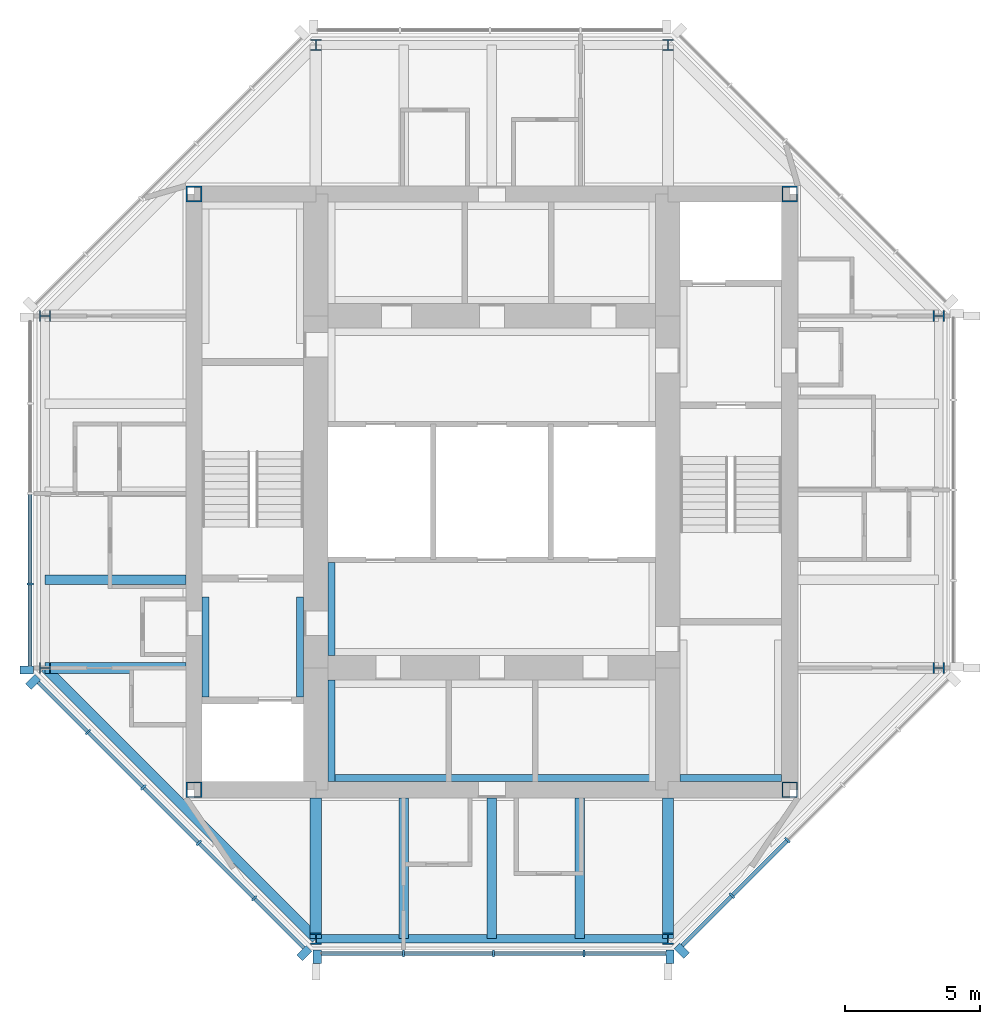
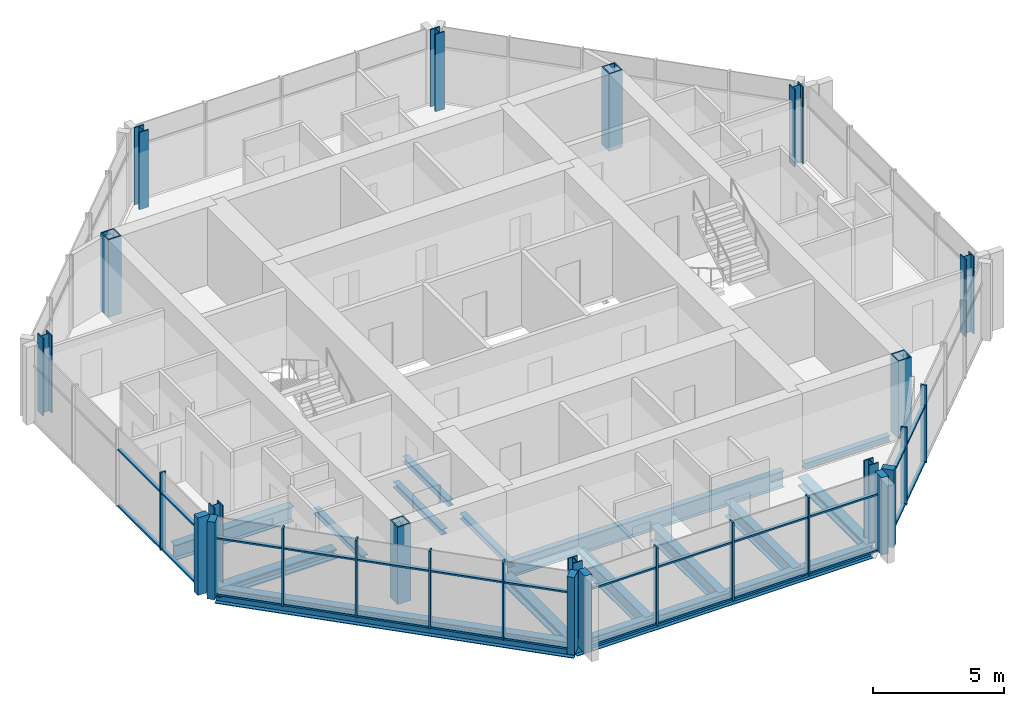
# One storey, part 1 of 9: 42 members, 15 beams, 12 columns, 4 elements without a shape of their own.
"""IFC4 building model written with IfcOpenShell, lengths in metres."""

import ifcopenshell
import ifcopenshell.guid

model = None  # the IFC model being written
_history = None  # IfcOwnerHistory: only IFC2X3 demands one
_inside = {}  # id of a spatial element -> (the spatial element, [elements in it])
_under = {}  # id of a project, library or spatial element -> (it, [spatial elements below it])
_declared = {}  # id of a project -> (the project, [libraries it declares])
_typed = {}  # id of a type object -> (the type object, [elements of that type])
_made_of = {}  # id of a material, layer set ... -> (it, [elements and type objects made of it])


def new_model(schema):
    """Start an empty IFC model of exactly this schema.

    Asked for "IFC4X3", IfcOpenShell would pick the latest addendum, in which some entities
    have other attributes; the version numbers below select the first issue.
    IFC2X3 requires an IfcOwnerHistory on every rooted entity: one is made here for all.
    """
    global model, _history
    if schema == "IFC4X3":
        model = ifcopenshell.file(schema_version=(4, 3, 0, 0))
    else:
        model = ifcopenshell.file(schema=schema)
    _inside.clear()
    _under.clear()
    _declared.clear()
    _typed.clear()
    _made_of.clear()
    _history = None
    if model.schema == "IFC2X3":
        org = make("IfcOrganization", Name="unknown")
        user = make(
            "IfcPersonAndOrganization",
            ThePerson=make("IfcPerson", FamilyName="unknown"),
            TheOrganization=org,
        )
        app = make(
            "IfcApplication",
            ApplicationDeveloper=org,
            Version="unknown",
            ApplicationFullName="unknown",
            ApplicationIdentifier="unknown",
        )
        _history = make(
            "IfcOwnerHistory",
            OwningUser=user,
            OwningApplication=app,
            ChangeAction="ADDED",
            CreationDate=0,
        )
    return model


def make(cls, **values):
    """One entity of the class cls with the attributes given. An attribute that is None is left unset."""
    return model.create_entity(
        cls, **{name: value for name, value in values.items() if value is not None}
    )


def rooted(cls, **values):
    """An entity with a GlobalId (a new one), such as an element, a storey or a relation."""
    return make(cls, GlobalId=ifcopenshell.guid.new(), OwnerHistory=_history, **values)


def si_unit(unit_type, name, prefix=None):
    """IfcSIUnit, for example si_unit("LENGTHUNIT", "METRE", prefix="MILLI")."""
    return make("IfcSIUnit", UnitType=unit_type, Prefix=prefix, Name=name)


def assignment(units):
    """IfcUnitAssignment: the units of a project."""
    return None if units is None else make("IfcUnitAssignment", Units=units)


def point(xyz):
    """IfcCartesianPoint."""
    return None if xyz is None else make("IfcCartesianPoint", Coordinates=xyz)


def direction(xyz):
    """IfcDirection."""
    return None if xyz is None else make("IfcDirection", DirectionRatios=xyz)


def frame(location, z_axis=None, x_axis=None):
    """IfcAxis2Placement3D, a coordinate frame: its origin and axes. An axis left out is left unset."""
    return make(
        "IfcAxis2Placement3D",
        Location=point(location),
        Axis=direction(z_axis),
        RefDirection=direction(x_axis),
    )


def frame_2d(location, x_axis=None):
    """IfcAxis2Placement2D, a coordinate frame in the plane: its origin and x axis."""
    return make(
        "IfcAxis2Placement2D", Location=point(location), RefDirection=direction(x_axis)
    )


def origin():
    """The frame at (0, 0, 0) with its axes left unset."""
    return frame((0.0, 0.0, 0.0))


def origin_2d():
    """The frame at (0, 0) in the plane with its x axis left unset."""
    return frame_2d((0.0, 0.0))


def place(relative_to, where):
    """IfcLocalPlacement: puts the frame where relative to a parent placement (None: the world)."""
    return make(
        "IfcLocalPlacement", PlacementRelTo=relative_to, RelativePlacement=where
    )


def context(
    kind, dimensions, precision=None, world=None, true_north=None, identifier=None
):
    """IfcGeometricRepresentationContext, for example the 3D "Model" context."""
    return make(
        "IfcGeometricRepresentationContext",
        ContextIdentifier=identifier,
        ContextType=kind,
        CoordinateSpaceDimension=dimensions,
        Precision=precision,
        WorldCoordinateSystem=world,
        TrueNorth=true_north,
    )


def subcontext(parent, identifier, kind, view, scale=None):
    """IfcGeometricRepresentationSubContext, for example "Body" below "Model"."""
    return make(
        "IfcGeometricRepresentationSubContext",
        ContextIdentifier=identifier,
        ContextType=kind,
        ParentContext=parent,
        TargetScale=scale,
        TargetView=view,
    )


def project(units=None, contexts=None):
    """IfcProject with its units and contexts."""
    return rooted(
        "IfcProject",
        Name="project",
        RepresentationContexts=contexts,
        UnitsInContext=assignment(units),
    )


def spatial(cls, under=None, at=None, **own):
    """A site, building, storey or space (cls), placed at a placement, below another one or the project."""
    s = rooted(cls, ObjectPlacement=at, **own)
    if under is not None:
        _under.setdefault(under.id(), (under, []))[1].append(s)
    return s


def profile(cls, at=None, kind="AREA", **sizes):
    """A parametric profile (cls). Its sizes go by their IFC names, for example OverallWidth=200.0."""
    return make(cls, ProfileType=kind, Position=at, **sizes)


def rectangle(**sizes):
    """IfcRectangleProfileDef."""
    return profile("IfcRectangleProfileDef", **sizes)


def hollow_rectangle(**sizes):
    """IfcRectangleHollowProfileDef."""
    return profile("IfcRectangleHollowProfileDef", **sizes)


def i_section(**sizes):
    """IfcIShapeProfileDef."""
    return profile("IfcIShapeProfileDef", **sizes)


def extrude(swept, where, along, depth):
    """IfcExtrudedAreaSolid: the profile swept, set in the frame where, extruded along a direction by depth."""
    return make(
        "IfcExtrudedAreaSolid",
        SweptArea=swept,
        Position=where,
        ExtrudedDirection=direction(along),
        Depth=depth,
    )


def shape(context_of_items, identifier, shape_type, items):
    """IfcShapeRepresentation: the items that make up one representation, for example the "Body"."""
    return make(
        "IfcShapeRepresentation",
        ContextOfItems=context_of_items,
        RepresentationIdentifier=identifier,
        RepresentationType=shape_type,
        Items=items,
    )


def material(Name=None, Category=None):
    """IfcMaterial."""
    return make("IfcMaterial", Name=Name, Category=Category)


def material_profile(
    of_material, cross_section, Name=None, Category=None, Priority=None
):
    """IfcMaterialProfile: a cross section and its material."""
    return make(
        "IfcMaterialProfile",
        Name=Name,
        Material=of_material,
        Profile=cross_section,
        Priority=Priority,
        Category=Category,
    )


def profile_set(profiles, Name=None, composite=None):
    """IfcMaterialProfileSet."""
    return make(
        "IfcMaterialProfileSet",
        Name=Name,
        MaterialProfiles=profiles,
        CompositeProfile=composite,
    )


def made_of(thing, what):
    """Note that an element or type object is made of a material, layer set ...; save() writes the relation."""
    if what is not None:
        _made_of.setdefault(what.id(), (what, []))[1].append(thing)
    return thing


def type_object(cls, material=None, **own):
    """A type object (cls), such as IfcWallType, which elements share."""
    return made_of(rooted(cls, **own), material)


def element(
    cls,
    number,
    at=None,
    inside=None,
    cuts=None,
    type_object=None,
    material=None,
    context=None,
    identifier="Body",
    shape_type=None,
    held_by="IfcProductDefinitionShape",
    body=None,
    shapes=None,
    **own,
):
    """One element of the class cls, such as IfcWall. Its Tag is "e" and its number.

    at: its placement. inside: the storey or other place that contains it. cuts: it is an
    opening in that element (IfcRelVoidsElement). A single representation is given by context,
    identifier, shape_type and body (its items); several are given by shapes. held_by: the class
    of the entity that holds the representations. save() writes the other relations.
    """
    e = rooted(cls, Tag="e%d" % number, ObjectPlacement=at, **own)
    if body is not None:
        shapes = [shape(context, identifier, shape_type, body)]
    if shapes is not None:
        e.Representation = make(held_by, Representations=shapes)
    if inside is not None:
        _inside.setdefault(inside.id(), (inside, []))[1].append(e)
    if cuts is not None:
        rooted(
            "IfcRelVoidsElement", RelatingBuildingElement=cuts, RelatedOpeningElement=e
        )
    if type_object is not None:
        _typed.setdefault(type_object.id(), (type_object, []))[1].append(e)
    return made_of(e, material)


def aggregate(whole, parts):
    """IfcRelAggregates: a whole, such as a stair, and the parts it consists of."""
    return rooted("IfcRelAggregates", RelatingObject=whole, RelatedObjects=parts)


def save(model, path):
    """Write the relations noted so far, then the file.

    IfcRelAggregates (storeys below a building ...), IfcRelContainedInSpatialStructure (elements
    in a storey), IfcRelDefinesByType, IfcRelAssociatesMaterial and IfcRelDeclares: one each for
    every whole, place, type object, material and project.
    """
    for whole, parts in _under.values():
        aggregate(whole, parts)
    for where, things in _inside.values():
        rooted(
            "IfcRelContainedInSpatialStructure",
            RelatedElements=things,
            RelatingStructure=where,
        )
    for kind, things in _typed.values():
        rooted("IfcRelDefinesByType", RelatedObjects=things, RelatingType=kind)
    for what, things in _made_of.values():
        rooted("IfcRelAssociatesMaterial", RelatedObjects=things, RelatingMaterial=what)
    for by, libraries in _declared.values():
        rooted("IfcRelDeclares", RelatingContext=by, RelatedDefinitions=libraries)
    model.write(path)


model = new_model("IFC4")

# Units and contexts
model_context = context("Model", 3, precision=1e-05, world=origin(), true_north=direction((0.0, 1.0)))
body_context = subcontext(model_context, "Body", "Model", "MODEL_VIEW")
ifc_project = project(units=[si_unit("LENGTHUNIT", "METRE"), si_unit("AREAUNIT", "SQUARE_METRE"), si_unit("VOLUMEUNIT", "CUBIC_METRE"), si_unit("PLANEANGLEUNIT", "RADIAN"), si_unit("MASSUNIT", "GRAM", prefix="KILO")], contexts=[model_context])

# Site, building, storey
site_placement = place(None, origin())
site = spatial("IfcSite", under=ifc_project, at=site_placement, CompositionType="ELEMENT")
building_placement = place(site_placement, origin())
building = spatial("IfcBuilding", under=site, at=building_placement, Name="Trevanion Tower", CompositionType="ELEMENT")
storey_placement = place(building_placement, frame((0.0, 0.0, 281.199951171875)))
storey = spatial("IfcBuildingStorey", under=building, at=storey_placement, Name="L69", CompositionType="ELEMENT", Elevation=281.199951171875)

# Columns
ifc_material_1 = material(Name="Steel ASTM A913 Grade 65", Category="steel")
ifc_material_profile_1 = material_profile(ifc_material_1, i_section(OverallWidth=0.406494140625, OverallDepth=0.41650390625, WebThickness=0.030029296875, FlangeThickness=0.048095703125, at=origin_2d()), Name="W14X257")
ifc_profile_set_1 = profile_set([ifc_material_profile_1], Name="Steel ASTM A913 Grade 65")
column_type_1 = type_object("IfcColumnType", Name="C6 W14X257", PredefinedType="COLUMN", material=ifc_profile_set_1)
for number, where, z_axis, x_axis, name in (
    (1, (-16.5, -6.5, 0.0), (0.0, 0.0, 1.0), (0.0, 1.0, 0.0), "C6 7/G L69"),
    (2, (-6.5, -16.5, 0.0), (0.0, 0.0, 1.0), (1.0, 0.0, 0.0), "C6 9/E L69"),
    (3, (6.5, -16.5, 0.0), (0.0, 0.0, 1.0), (1.0, 0.0, 0.0), "C6 11/E L69"),
    (4, (16.5, -6.5, 0.0), (0.0, 0.0, 1.0), (0.0, 1.0, 0.0), "C6 13/G L69"),
    (5, (16.5, 6.5, 0.0), (0.0, 0.0, 1.0), (0.0, 1.0, 0.0), "C6 13/J L69"),
    (6, (6.5, 16.5, 0.0), (0.0, 0.0, 1.0), (1.0, 0.0, 0.0), "C6 11/L L69"),
    (7, (-6.5, 16.5, 0.0), (0.0, 0.0, 1.0), (1.0, 0.0, 0.0), "C6 9/L L69"),
    (8, (-16.5, 6.5, 0.0), (0.0, 0.0, 1.0), (0.0, 1.0, 0.0), "C6 7/J L69"),
):
    element("IfcColumn", number, at=place(storey_placement, frame(where, z_axis=z_axis, x_axis=x_axis)), inside=storey, type_object=column_type_1, Name=name, PredefinedType="COLUMN", context=body_context, shape_type="SweptSolid", body=[
        extrude(i_section(OverallWidth=0.406494140625, OverallDepth=0.41650390625, WebThickness=0.030029296875, FlangeThickness=0.048095703125, at=origin_2d()), origin(), (0.0, 0.0, 1.0), 3.60009765625),
    ])
ifc_material_2 = material(Name="Steel ASTM A572 Grade 50", Category="steel")
ifc_material_profile_2 = material_profile(ifc_material_2, hollow_rectangle(XDim=0.584228515625, YDim=0.584228515625, WallThickness=0.05078125, at=origin_2d()), Name="BOX23X23X2")
ifc_profile_set_2 = profile_set([ifc_material_profile_2], Name="Steel ASTM A572 Grade 50")
column_type_2 = type_object("IfcColumnType", Name="CB1 BOX23X23X2", PredefinedType="COLUMN", material=ifc_profile_set_2)
for number, where, z_axis, x_axis, name in (
    (9, (11.0, 11.0, 0.0), (0.0, 0.0, 1.0), (1.0, 0.0, 0.0), "CB1 NE L69"),
    (10, (-11.0, 11.0, 0.0), (0.0, 0.0, 1.0), (1.0, 0.0, 0.0), "CB1 NW L69"),
    (11, (-11.0, -11.0, 0.0), (0.0, 0.0, 1.0), (1.0, 0.0, 0.0), "CB1 SW L69"),
    (12, (11.0, -11.0, 0.0), (0.0, 0.0, 1.0), (1.0, 0.0, 0.0), "CB1 SE L69"),
):
    element("IfcColumn", number, at=place(storey_placement, frame(where, z_axis=z_axis, x_axis=x_axis)), inside=storey, type_object=column_type_2, Name=name, PredefinedType="COLUMN", context=body_context, shape_type="SweptSolid", body=[
        extrude(hollow_rectangle(XDim=0.584228515625, YDim=0.584228515625, WallThickness=0.05078125, at=origin_2d()), origin(), (0.0, 0.0, 1.0), 3.60009765625),
    ])

# Beams
ifc_material_3 = material(Name="Steel ASTM A992 Grade 50", Category="steel")
ifc_material_profile_3 = material_profile(ifc_material_3, i_section(OverallWidth=0.355712890625, OverallDepth=0.700927734375, WebThickness=0.016845703125, FlangeThickness=0.02734375, at=origin_2d()), Name="W27X161")
ifc_profile_set_3 = profile_set([ifc_material_profile_3], Name="Steel ASTM A992 Grade 50")
beam_type_1 = type_object("IfcBeamType", Name="B15 W27X161", PredefinedType="BEAM", material=ifc_profile_set_3)
for number, where, z_axis, x_axis, name in (
    (13, (-11.300048828125, -3.25, -0.54052734375), (-1.0, 0.0, 0.0), (0.0, -1.0, 0.0), "B15 L69"),
    (14, (-3.25, -11.300048828125, -0.54052734375), (0.0, -1.0, 0.0), (1.0, 0.0, 0.0), "B15 L69"),
    (15, (0.0, -11.300048828125, -0.54052734375), (0.0, -1.0, 0.0), (1.0, 0.0, 0.0), "B15 L69"),
    (16, (3.25, -11.300048828125, -0.54052734375), (0.0, -1.0, 0.0), (1.0, 0.0, 0.0), "B15 L69"),
):
    element("IfcBeam", number, at=place(storey_placement, frame(where, z_axis=z_axis, x_axis=x_axis)), inside=storey, type_object=beam_type_1, Name=name, PredefinedType="BEAM", context=body_context, shape_type="SweptSolid", body=[
        extrude(i_section(OverallWidth=0.355712890625, OverallDepth=0.700927734375, WebThickness=0.016845703125, FlangeThickness=0.02734375, at=origin_2d()), origin(), (0.0, 0.0, 1.0), 5.199951171875),
    ])

# Curtain wall, member
ifc_material_4 = material(Name="Aluminium and glass", Category="aluminium")
curtain_wall_type = type_object("IfcCurtainWallType", Name="CW4 curtain wall", PredefinedType="USERDEFINED", material=ifc_material_4)
curtain_wall_1_placement = place(storey_placement, origin())
curtain_wall_1 = element("IfcCurtainWall", 17, at=curtain_wall_1_placement, inside=storey, type_object=curtain_wall_type, Name="CW4 L69 4", ObjectType="UNITISED CURTAIN WALL", PredefinedType="USERDEFINED")
ifc_material_5 = material(Name="Aluminium extrusion, anodised bronze", Category="aluminium")
ifc_material_profile_4 = material_profile(ifc_material_5, rectangle(XDim=0.074951171875, YDim=0.25, at=origin_2d()), Name="CW4 mullion")
ifc_profile_set_4 = profile_set([ifc_material_profile_4], Name="Aluminium extrusion, anodised bronze")
member_type_1 = type_object("IfcMemberType", Name="CW4 mullion", PredefinedType="MULLION", material=ifc_profile_set_4)
member_1_placement = place(storey_placement, frame((-17.050048828125, -3.396484375, -0.18994140625), z_axis=(0.0, 0.0, 1.0), x_axis=(0.0, -1.0, 0.0)))
member_1 = element("IfcMember", 18, at=member_1_placement, type_object=member_type_1, Name="CW4 mullion 4", PredefinedType="MULLION", context=body_context, shape_type="SweptSolid", body=[
    extrude(rectangle(XDim=0.074951171875, YDim=0.25, at=origin_2d()), origin(), (0.0, 0.0, 1.0), 3.60009765625),
])

# Curtain wall, members
curtain_wall_2_placement = place(storey_placement, origin())
curtain_wall_2 = element("IfcCurtainWall", 19, at=curtain_wall_2_placement, inside=storey, type_object=curtain_wall_type, Name="CW4 L69 5", ObjectType="UNITISED CURTAIN WALL", PredefinedType="USERDEFINED")
member_2_placement = place(storey_placement, frame((-14.912109375, -8.86572265625, -0.18994140625), z_axis=(0.0, 0.0, 1.0), x_axis=(0.707106781187, -0.707106781187, 0.0)))
member_2 = element("IfcMember", 20, at=member_2_placement, type_object=member_type_1, Name="CW4 mullion 2", PredefinedType="MULLION", context=body_context, shape_type="SweptSolid", body=[
    extrude(rectangle(XDim=0.074951171875, YDim=0.25, at=origin_2d()), origin(), (0.0, 0.0, 1.0), 3.60009765625),
])
member_3_placement = place(storey_placement, frame((-12.865966796875, -10.911865234375, -0.18994140625), z_axis=(0.0, 0.0, 1.0), x_axis=(0.707106781187, -0.707106781187, 0.0)))
member_3 = element("IfcMember", 21, at=member_3_placement, type_object=member_type_1, Name="CW4 mullion 3", PredefinedType="MULLION", context=body_context, shape_type="SweptSolid", body=[
    extrude(rectangle(XDim=0.074951171875, YDim=0.25, at=origin_2d()), origin(), (0.0, 0.0, 1.0), 3.60009765625),
])
member_4_placement = place(storey_placement, frame((-10.81982421875, -12.9580078125, -0.18994140625), z_axis=(0.0, 0.0, 1.0), x_axis=(0.707106781187, -0.707106781187, 0.0)))
member_4 = element("IfcMember", 22, at=member_4_placement, type_object=member_type_1, Name="CW4 mullion 4", PredefinedType="MULLION", context=body_context, shape_type="SweptSolid", body=[
    extrude(rectangle(XDim=0.074951171875, YDim=0.25, at=origin_2d()), origin(), (0.0, 0.0, 1.0), 3.60009765625),
])
member_5_placement = place(storey_placement, frame((-8.77392578125, -15.00390625, -0.18994140625), z_axis=(0.0, 0.0, 1.0), x_axis=(0.707106781187, -0.707106781187, 0.0)))
member_5 = element("IfcMember", 23, at=member_5_placement, type_object=member_type_1, Name="CW4 mullion 5", PredefinedType="MULLION", context=body_context, shape_type="SweptSolid", body=[
    extrude(rectangle(XDim=0.074951171875, YDim=0.25, at=origin_2d()), origin(), (0.0, 0.0, 1.0), 3.60009765625),
])

curtain_wall_3_placement = place(storey_placement, origin())
curtain_wall_3 = element("IfcCurtainWall", 24, at=curtain_wall_3_placement, inside=storey, type_object=curtain_wall_type, Name="CW4 L69 6", ObjectType="UNITISED CURTAIN WALL", PredefinedType="USERDEFINED")
member_6_placement = place(storey_placement, frame((-3.266357421875, -17.050048828125, -0.18994140625), z_axis=(0.0, 0.0, 1.0), x_axis=(1.0, 0.0, 0.0)))
member_6 = element("IfcMember", 25, at=member_6_placement, type_object=member_type_1, Name="CW4 mullion 2", PredefinedType="MULLION", context=body_context, shape_type="SweptSolid", body=[
    extrude(rectangle(XDim=0.074951171875, YDim=0.25, at=origin_2d()), origin(), (0.0, 0.0, 1.0), 3.60009765625),
])
member_7_placement = place(storey_placement, frame((0.06494140625, -17.050048828125, -0.18994140625), z_axis=(0.0, 0.0, 1.0), x_axis=(1.0, 0.0, 0.0)))
member_7 = element("IfcMember", 26, at=member_7_placement, type_object=member_type_1, Name="CW4 mullion 3", PredefinedType="MULLION", context=body_context, shape_type="SweptSolid", body=[
    extrude(rectangle(XDim=0.074951171875, YDim=0.25, at=origin_2d()), origin(), (0.0, 0.0, 1.0), 3.60009765625),
])
member_8_placement = place(storey_placement, frame((3.396484375, -17.050048828125, -0.18994140625), z_axis=(0.0, 0.0, 1.0), x_axis=(1.0, 0.0, 0.0)))
member_8 = element("IfcMember", 27, at=member_8_placement, type_object=member_type_1, Name="CW4 mullion 4", PredefinedType="MULLION", context=body_context, shape_type="SweptSolid", body=[
    extrude(rectangle(XDim=0.074951171875, YDim=0.25, at=origin_2d()), origin(), (0.0, 0.0, 1.0), 3.60009765625),
])

curtain_wall_4_placement = place(storey_placement, origin())
curtain_wall_4 = element("IfcCurtainWall", 28, at=curtain_wall_4_placement, inside=storey, type_object=curtain_wall_type, Name="CW4 L69 7", ObjectType="UNITISED CURTAIN WALL", PredefinedType="USERDEFINED")
member_9_placement = place(storey_placement, frame((8.86572265625, -14.912109375, -0.18994140625), z_axis=(0.0, 0.0, 1.0), x_axis=(0.707106781187, 0.707106781187, 0.0)))
member_9 = element("IfcMember", 29, at=member_9_placement, type_object=member_type_1, Name="CW4 mullion 2", PredefinedType="MULLION", context=body_context, shape_type="SweptSolid", body=[
    extrude(rectangle(XDim=0.074951171875, YDim=0.25, at=origin_2d()), origin(), (0.0, 0.0, 1.0), 3.60009765625),
])
member_10_placement = place(storey_placement, frame((10.911865234375, -12.865966796875, -0.18994140625), z_axis=(0.0, 0.0, 1.0), x_axis=(0.707106781187, 0.707106781187, 0.0)))
member_10 = element("IfcMember", 30, at=member_10_placement, type_object=member_type_1, Name="CW4 mullion 3", PredefinedType="MULLION", context=body_context, shape_type="SweptSolid", body=[
    extrude(rectangle(XDim=0.074951171875, YDim=0.25, at=origin_2d()), origin(), (0.0, 0.0, 1.0), 3.60009765625),
])

# Member
ifc_material_6 = material(Name="Aluminium extrusion, anodised bronze", Category="aluminium")
ifc_material_profile_5 = material_profile(ifc_material_6, rectangle(XDim=0.300048828125, YDim=0.5, at=origin_2d()), Name="CW4 pier mullion")
ifc_profile_set_5 = profile_set([ifc_material_profile_5], Name="Aluminium extrusion, anodised bronze")
member_type_2 = type_object("IfcMemberType", Name="CW4 pier mullion", PredefinedType="MULLION", material=ifc_profile_set_5)
member_11_placement = place(storey_placement, frame((-17.175048828125, -6.577880859375, -0.18994140625), z_axis=(0.0, 0.0, 1.0), x_axis=(0.0, -1.0, 0.0)))
member_11 = element("IfcMember", 31, at=member_11_placement, type_object=member_type_2, Name="CW4 pier mullion 5", PredefinedType="MULLION", context=body_context, shape_type="SweptSolid", body=[
    extrude(rectangle(XDim=0.300048828125, YDim=0.5, at=origin_2d()), origin(), (0.0, 0.0, 1.0), 3.60009765625),
])

member_12_placement = place(storey_placement, frame((-16.9404296875, -7.01416015625, -0.18994140625), z_axis=(0.0, 0.0, 1.0), x_axis=(0.707106781187, -0.707106781187, 0.0)))
member_12 = element("IfcMember", 32, at=member_12_placement, type_object=member_type_2, Name="CW4 pier mullion 1", PredefinedType="MULLION", context=body_context, shape_type="SweptSolid", body=[
    extrude(rectangle(XDim=0.300048828125, YDim=0.5, at=origin_2d()), origin(), (0.0, 0.0, 1.0), 3.60009765625),
])

member_13_placement = place(storey_placement, frame((-6.92236328125, -17.0322265625, -0.18994140625), z_axis=(0.0, 0.0, 1.0), x_axis=(0.707106781187, -0.707106781187, 0.0)))
member_13 = element("IfcMember", 33, at=member_13_placement, type_object=member_type_2, Name="CW4 pier mullion 6", PredefinedType="MULLION", context=body_context, shape_type="SweptSolid", body=[
    extrude(rectangle(XDim=0.300048828125, YDim=0.5, at=origin_2d()), origin(), (0.0, 0.0, 1.0), 3.60009765625),
])

member_14_placement = place(storey_placement, frame((-6.44775390625, -17.175048828125, -0.18994140625), z_axis=(0.0, 0.0, 1.0), x_axis=(1.0, 0.0, 0.0)))
member_14 = element("IfcMember", 34, at=member_14_placement, type_object=member_type_2, Name="CW4 pier mullion 1", PredefinedType="MULLION", context=body_context, shape_type="SweptSolid", body=[
    extrude(rectangle(XDim=0.300048828125, YDim=0.5, at=origin_2d()), origin(), (0.0, 0.0, 1.0), 3.60009765625),
])

member_15_placement = place(storey_placement, frame((6.577880859375, -17.175048828125, -0.18994140625), z_axis=(0.0, 0.0, 1.0), x_axis=(1.0, 0.0, 0.0)))
member_15 = element("IfcMember", 35, at=member_15_placement, type_object=member_type_2, Name="CW4 pier mullion 5", PredefinedType="MULLION", context=body_context, shape_type="SweptSolid", body=[
    extrude(rectangle(XDim=0.300048828125, YDim=0.5, at=origin_2d()), origin(), (0.0, 0.0, 1.0), 3.60009765625),
])

member_16_placement = place(storey_placement, frame((7.01416015625, -16.9404296875, -0.18994140625), z_axis=(0.0, 0.0, 1.0), x_axis=(0.707106781187, 0.707106781187, 0.0)))
member_16 = element("IfcMember", 36, at=member_16_placement, type_object=member_type_2, Name="CW4 pier mullion 1", PredefinedType="MULLION", context=body_context, shape_type="SweptSolid", body=[
    extrude(rectangle(XDim=0.300048828125, YDim=0.5, at=origin_2d()), origin(), (0.0, 0.0, 1.0), 3.60009765625),
])

ifc_material_7 = material(Name="Aluminium extrusion, anodised bronze", Category="aluminium")
ifc_material_profile_6 = material_profile(ifc_material_7, rectangle(XDim=0.14990234375, YDim=0.074951171875, at=origin_2d()), Name="CW4 transom")
ifc_profile_set_6 = profile_set([ifc_material_profile_6], Name="Aluminium extrusion, anodised bronze")
member_type_3 = type_object("IfcMemberType", Name="CW4 transom", PredefinedType="USERDEFINED", material=ifc_profile_set_6)
member_17_placement = place(storey_placement, frame((-17.050048828125, -0.1025390625, -0.15234375), z_axis=(0.0, -1.0, 0.0), x_axis=(1.0, 0.0, 0.0)))
member_17 = element("IfcMember", 37, at=member_17_placement, type_object=member_type_3, Name="CW4 transom 3.1", ObjectType="TRANSOM", PredefinedType="USERDEFINED", context=body_context, shape_type="SweptSolid", body=[
    extrude(rectangle(XDim=0.14990234375, YDim=0.074951171875, at=origin_2d()), origin(), (0.0, 0.0, 1.0), 3.25634765625),
])

member_18_placement = place(storey_placement, frame((-17.050048828125, -0.1025390625, 2.4599609375), z_axis=(0.0, -1.0, 0.0), x_axis=(1.0, 0.0, 0.0)))
member_18 = element("IfcMember", 38, at=member_18_placement, type_object=member_type_3, Name="CW4 transom 3.2", ObjectType="TRANSOM", PredefinedType="USERDEFINED", context=body_context, shape_type="SweptSolid", body=[
    extrude(rectangle(XDim=0.14990234375, YDim=0.074951171875, at=origin_2d()), origin(), (0.0, 0.0, 1.0), 3.25634765625),
])

member_19_placement = place(storey_placement, frame((-17.050048828125, -3.433837890625, -0.15234375), z_axis=(0.0, -1.0, 0.0), x_axis=(1.0, 0.0, 0.0)))
member_19 = element("IfcMember", 39, at=member_19_placement, type_object=member_type_3, Name="CW4 transom 4.1", ObjectType="TRANSOM", PredefinedType="USERDEFINED", context=body_context, shape_type="SweptSolid", body=[
    extrude(rectangle(XDim=0.14990234375, YDim=0.074951171875, at=origin_2d()), origin(), (0.0, 0.0, 1.0), 2.993896484375),
])

member_20_placement = place(storey_placement, frame((-17.050048828125, -3.433837890625, 2.4599609375), z_axis=(0.0, -1.0, 0.0), x_axis=(1.0, 0.0, 0.0)))
member_20 = element("IfcMember", 40, at=member_20_placement, type_object=member_type_3, Name="CW4 transom 4.2", ObjectType="TRANSOM", PredefinedType="USERDEFINED", context=body_context, shape_type="SweptSolid", body=[
    extrude(rectangle(XDim=0.14990234375, YDim=0.074951171875, at=origin_2d()), origin(), (0.0, 0.0, 1.0), 2.993896484375),
])

aggregate(curtain_wall_1, [member_1, member_11, member_17, member_18, member_19, member_20])

member_21_placement = place(storey_placement, frame((-16.745849609375, -7.031982421875, -0.15234375), z_axis=(0.707106781187, -0.707106781187, 0.0), x_axis=(0.707106781187, 0.707106781187, 0.0)))
member_21 = element("IfcMember", 41, at=member_21_placement, type_object=member_type_3, Name="CW4 transom 1.1", ObjectType="TRANSOM", PredefinedType="USERDEFINED", context=body_context, shape_type="SweptSolid", body=[
    extrude(rectangle(XDim=0.14990234375, YDim=0.074951171875, at=origin_2d()), origin(), (0.0, 0.0, 1.0), 2.555908203125),
])

member_22_placement = place(storey_placement, frame((-16.745849609375, -7.031982421875, 2.4599609375), z_axis=(0.707106781187, -0.707106781187, 0.0), x_axis=(0.707106781187, 0.707106781187, 0.0)))
member_22 = element("IfcMember", 42, at=member_22_placement, type_object=member_type_3, Name="CW4 transom 1.2", ObjectType="TRANSOM", PredefinedType="USERDEFINED", context=body_context, shape_type="SweptSolid", body=[
    extrude(rectangle(XDim=0.14990234375, YDim=0.074951171875, at=origin_2d()), origin(), (0.0, 0.0, 1.0), 2.555908203125),
])

member_23_placement = place(storey_placement, frame((-14.885498046875, -8.892333984375, -0.15234375), z_axis=(0.707106781187, -0.707106781187, 0.0), x_axis=(0.707106781187, 0.707106781187, 0.0)))
member_23 = element("IfcMember", 43, at=member_23_placement, type_object=member_type_3, Name="CW4 transom 2.1", ObjectType="TRANSOM", PredefinedType="USERDEFINED", context=body_context, shape_type="SweptSolid", body=[
    extrude(rectangle(XDim=0.14990234375, YDim=0.074951171875, at=origin_2d()), origin(), (0.0, 0.0, 1.0), 2.818359375),
])

member_24_placement = place(storey_placement, frame((-14.885498046875, -8.892333984375, 2.4599609375), z_axis=(0.707106781187, -0.707106781187, 0.0), x_axis=(0.707106781187, 0.707106781187, 0.0)))
member_24 = element("IfcMember", 44, at=member_24_placement, type_object=member_type_3, Name="CW4 transom 2.2", ObjectType="TRANSOM", PredefinedType="USERDEFINED", context=body_context, shape_type="SweptSolid", body=[
    extrude(rectangle(XDim=0.14990234375, YDim=0.074951171875, at=origin_2d()), origin(), (0.0, 0.0, 1.0), 2.818359375),
])

member_25_placement = place(storey_placement, frame((-12.839599609375, -10.9384765625, -0.15234375), z_axis=(0.707150088905, -0.707063470815, 0.0), x_axis=(0.707063470815, 0.707150088905, 0.0)))
member_25 = element("IfcMember", 45, at=member_25_placement, type_object=member_type_3, Name="CW4 transom 3.1", ObjectType="TRANSOM", PredefinedType="USERDEFINED", context=body_context, shape_type="SweptSolid", body=[
    extrude(rectangle(XDim=0.14990234375, YDim=0.074951171875, at=origin_2d()), origin(), (0.0, 0.0, 1.0), 2.818603515625),
])

member_26_placement = place(storey_placement, frame((-12.839599609375, -10.9384765625, 2.4599609375), z_axis=(0.707150088905, -0.707063470815, 0.0), x_axis=(0.707063470815, 0.707150088905, 0.0)))
member_26 = element("IfcMember", 46, at=member_26_placement, type_object=member_type_3, Name="CW4 transom 3.2", ObjectType="TRANSOM", PredefinedType="USERDEFINED", context=body_context, shape_type="SweptSolid", body=[
    extrude(rectangle(XDim=0.14990234375, YDim=0.074951171875, at=origin_2d()), origin(), (0.0, 0.0, 1.0), 2.818603515625),
])

member_27_placement = place(storey_placement, frame((-10.79345703125, -12.984375, -0.15234375), z_axis=(0.707150088905, -0.707063470815, 0.0), x_axis=(0.707063470815, 0.707150088905, 0.0)))
member_27 = element("IfcMember", 47, at=member_27_placement, type_object=member_type_3, Name="CW4 transom 4.1", ObjectType="TRANSOM", PredefinedType="USERDEFINED", context=body_context, shape_type="SweptSolid", body=[
    extrude(rectangle(XDim=0.14990234375, YDim=0.074951171875, at=origin_2d()), origin(), (0.0, 0.0, 1.0), 2.818603515625),
])

member_28_placement = place(storey_placement, frame((-10.79345703125, -12.984375, 2.4599609375), z_axis=(0.707150088905, -0.707063470815, 0.0), x_axis=(0.707063470815, 0.707150088905, 0.0)))
member_28 = element("IfcMember", 48, at=member_28_placement, type_object=member_type_3, Name="CW4 transom 4.2", ObjectType="TRANSOM", PredefinedType="USERDEFINED", context=body_context, shape_type="SweptSolid", body=[
    extrude(rectangle(XDim=0.14990234375, YDim=0.074951171875, at=origin_2d()), origin(), (0.0, 0.0, 1.0), 2.818603515625),
])

member_29_placement = place(storey_placement, frame((-8.747314453125, -15.030517578125, -0.15234375), z_axis=(0.707106781187, -0.707106781187, 0.0), x_axis=(0.707106781187, 0.707106781187, 0.0)))
member_29 = element("IfcMember", 49, at=member_29_placement, type_object=member_type_3, Name="CW4 transom 5.1", ObjectType="TRANSOM", PredefinedType="USERDEFINED", context=body_context, shape_type="SweptSolid", body=[
    extrude(rectangle(XDim=0.14990234375, YDim=0.074951171875, at=origin_2d()), origin(), (0.0, 0.0, 1.0), 2.555908203125),
])

member_30_placement = place(storey_placement, frame((-8.747314453125, -15.030517578125, 2.4599609375), z_axis=(0.707106781187, -0.707106781187, 0.0), x_axis=(0.707106781187, 0.707106781187, 0.0)))
member_30 = element("IfcMember", 50, at=member_30_placement, type_object=member_type_3, Name="CW4 transom 5.2", ObjectType="TRANSOM", PredefinedType="USERDEFINED", context=body_context, shape_type="SweptSolid", body=[
    extrude(rectangle(XDim=0.14990234375, YDim=0.074951171875, at=origin_2d()), origin(), (0.0, 0.0, 1.0), 2.555908203125),
])

aggregate(curtain_wall_2, [member_12, member_2, member_3, member_4, member_5, member_13, member_21, member_22, member_23, member_24, member_25, member_26, member_27, member_28, member_29, member_30])

member_31_placement = place(storey_placement, frame((-6.2978515625, -17.050048828125, -0.15234375), z_axis=(1.0, 0.0, 0.0), x_axis=(0.0, 1.0, 0.0)))
member_31 = element("IfcMember", 51, at=member_31_placement, type_object=member_type_3, Name="CW4 transom 1.1", ObjectType="TRANSOM", PredefinedType="USERDEFINED", context=body_context, shape_type="SweptSolid", body=[
    extrude(rectangle(XDim=0.14990234375, YDim=0.074951171875, at=origin_2d()), origin(), (0.0, 0.0, 1.0), 2.993896484375),
])

member_32_placement = place(storey_placement, frame((-6.2978515625, -17.050048828125, 2.4599609375), z_axis=(1.0, 0.0, 0.0), x_axis=(0.0, 1.0, 0.0)))
member_32 = element("IfcMember", 52, at=member_32_placement, type_object=member_type_3, Name="CW4 transom 1.2", ObjectType="TRANSOM", PredefinedType="USERDEFINED", context=body_context, shape_type="SweptSolid", body=[
    extrude(rectangle(XDim=0.14990234375, YDim=0.074951171875, at=origin_2d()), origin(), (0.0, 0.0, 1.0), 2.993896484375),
])

member_33_placement = place(storey_placement, frame((-3.22900390625, -17.050048828125, -0.15234375), z_axis=(1.0, 0.0, 0.0), x_axis=(0.0, 1.0, 0.0)))
member_33 = element("IfcMember", 53, at=member_33_placement, type_object=member_type_3, Name="CW4 transom 2.1", ObjectType="TRANSOM", PredefinedType="USERDEFINED", context=body_context, shape_type="SweptSolid", body=[
    extrude(rectangle(XDim=0.14990234375, YDim=0.074951171875, at=origin_2d()), origin(), (0.0, 0.0, 1.0), 3.256591796875),
])

member_34_placement = place(storey_placement, frame((-3.22900390625, -17.050048828125, 2.4599609375), z_axis=(1.0, 0.0, 0.0), x_axis=(0.0, 1.0, 0.0)))
member_34 = element("IfcMember", 54, at=member_34_placement, type_object=member_type_3, Name="CW4 transom 2.2", ObjectType="TRANSOM", PredefinedType="USERDEFINED", context=body_context, shape_type="SweptSolid", body=[
    extrude(rectangle(XDim=0.14990234375, YDim=0.074951171875, at=origin_2d()), origin(), (0.0, 0.0, 1.0), 3.256591796875),
])

member_35_placement = place(storey_placement, frame((0.1025390625, -17.050048828125, -0.15234375), z_axis=(1.0, 0.0, 0.0), x_axis=(0.0, 1.0, 0.0)))
member_35 = element("IfcMember", 55, at=member_35_placement, type_object=member_type_3, Name="CW4 transom 3.1", ObjectType="TRANSOM", PredefinedType="USERDEFINED", context=body_context, shape_type="SweptSolid", body=[
    extrude(rectangle(XDim=0.14990234375, YDim=0.074951171875, at=origin_2d()), origin(), (0.0, 0.0, 1.0), 3.25634765625),
])

member_36_placement = place(storey_placement, frame((0.1025390625, -17.050048828125, 2.4599609375), z_axis=(1.0, 0.0, 0.0), x_axis=(0.0, 1.0, 0.0)))
member_36 = element("IfcMember", 56, at=member_36_placement, type_object=member_type_3, Name="CW4 transom 3.2", ObjectType="TRANSOM", PredefinedType="USERDEFINED", context=body_context, shape_type="SweptSolid", body=[
    extrude(rectangle(XDim=0.14990234375, YDim=0.074951171875, at=origin_2d()), origin(), (0.0, 0.0, 1.0), 3.25634765625),
])

member_37_placement = place(storey_placement, frame((3.433837890625, -17.050048828125, -0.15234375), z_axis=(1.0, 0.0, 0.0), x_axis=(0.0, 1.0, 0.0)))
member_37 = element("IfcMember", 57, at=member_37_placement, type_object=member_type_3, Name="CW4 transom 4.1", ObjectType="TRANSOM", PredefinedType="USERDEFINED", context=body_context, shape_type="SweptSolid", body=[
    extrude(rectangle(XDim=0.14990234375, YDim=0.074951171875, at=origin_2d()), origin(), (0.0, 0.0, 1.0), 2.993896484375),
])

member_38_placement = place(storey_placement, frame((3.433837890625, -17.050048828125, 2.4599609375), z_axis=(1.0, 0.0, 0.0), x_axis=(0.0, 1.0, 0.0)))
member_38 = element("IfcMember", 58, at=member_38_placement, type_object=member_type_3, Name="CW4 transom 4.2", ObjectType="TRANSOM", PredefinedType="USERDEFINED", context=body_context, shape_type="SweptSolid", body=[
    extrude(rectangle(XDim=0.14990234375, YDim=0.074951171875, at=origin_2d()), origin(), (0.0, 0.0, 1.0), 2.993896484375),
])

aggregate(curtain_wall_3, [member_14, member_6, member_7, member_8, member_15, member_31, member_32, member_33, member_34, member_35, member_36, member_37, member_38])

member_39_placement = place(storey_placement, frame((7.031982421875, -16.745849609375, -0.15234375), z_axis=(0.707106781187, 0.707106781187, 0.0), x_axis=(-0.707106781187, 0.707106781187, 0.0)))
member_39 = element("IfcMember", 59, at=member_39_placement, type_object=member_type_3, Name="CW4 transom 1.1", ObjectType="TRANSOM", PredefinedType="USERDEFINED", context=body_context, shape_type="SweptSolid", body=[
    extrude(rectangle(XDim=0.14990234375, YDim=0.074951171875, at=origin_2d()), origin(), (0.0, 0.0, 1.0), 2.555908203125),
])

member_40_placement = place(storey_placement, frame((7.031982421875, -16.745849609375, 2.4599609375), z_axis=(0.707106781187, 0.707106781187, 0.0), x_axis=(-0.707106781187, 0.707106781187, 0.0)))
member_40 = element("IfcMember", 60, at=member_40_placement, type_object=member_type_3, Name="CW4 transom 1.2", ObjectType="TRANSOM", PredefinedType="USERDEFINED", context=body_context, shape_type="SweptSolid", body=[
    extrude(rectangle(XDim=0.14990234375, YDim=0.074951171875, at=origin_2d()), origin(), (0.0, 0.0, 1.0), 2.555908203125),
])

member_41_placement = place(storey_placement, frame((8.892333984375, -14.885498046875, -0.15234375), z_axis=(0.707106781187, 0.707106781187, 0.0), x_axis=(-0.707106781187, 0.707106781187, 0.0)))
member_41 = element("IfcMember", 61, at=member_41_placement, type_object=member_type_3, Name="CW4 transom 2.1", ObjectType="TRANSOM", PredefinedType="USERDEFINED", context=body_context, shape_type="SweptSolid", body=[
    extrude(rectangle(XDim=0.14990234375, YDim=0.074951171875, at=origin_2d()), origin(), (0.0, 0.0, 1.0), 2.818359375),
])

member_42_placement = place(storey_placement, frame((8.892333984375, -14.885498046875, 2.4599609375), z_axis=(0.707106781187, 0.707106781187, 0.0), x_axis=(-0.707106781187, 0.707106781187, 0.0)))
member_42 = element("IfcMember", 62, at=member_42_placement, type_object=member_type_3, Name="CW4 transom 2.2", ObjectType="TRANSOM", PredefinedType="USERDEFINED", context=body_context, shape_type="SweptSolid", body=[
    extrude(rectangle(XDim=0.14990234375, YDim=0.074951171875, at=origin_2d()), origin(), (0.0, 0.0, 1.0), 2.818359375),
])

aggregate(curtain_wall_4, [member_16, member_9, member_10, member_39, member_40, member_41, member_42])

# Beams
ifc_material_8 = material(Name="Steel ASTM A992 Grade 50", Category="steel")
ifc_material_profile_7 = material_profile(ifc_material_8, i_section(OverallWidth=0.41650390625, OverallDepth=0.444580078125, WebThickness=0.0390625, FlangeThickness=0.062744140625, at=origin_2d()), Name="W14X342")
ifc_profile_set_7 = profile_set([ifc_material_profile_7], Name="Steel ASTM A992 Grade 50")
beam_type_2 = type_object("IfcBeamType", Name="G8 W14X342", PredefinedType="BEAM", material=ifc_profile_set_7)
for number, where, z_axis, x_axis, name in (
    (63, (-11.300048828125, -6.5, -0.412109375), (-1.0, 0.0, 0.0), (0.0, -1.0, 0.0), "G8 L69"),
    (64, (-6.5, -11.300048828125, -0.412109375), (0.0, -1.0, 0.0), (1.0, 0.0, 0.0), "G8 L69"),
    (65, (6.5, -11.300048828125, -0.412109375), (0.0, -1.0, 0.0), (1.0, 0.0, 0.0), "G8 L69"),
):
    element("IfcBeam", number, at=place(storey_placement, frame(where, z_axis=z_axis, x_axis=x_axis)), inside=storey, type_object=beam_type_2, Name=name, PredefinedType="BEAM", context=body_context, shape_type="SweptSolid", body=[
        extrude(i_section(OverallWidth=0.41650390625, OverallDepth=0.444580078125, WebThickness=0.0390625, FlangeThickness=0.062744140625, at=origin_2d()), origin(), (0.0, 0.0, 1.0), 5.199951171875),
    ])
ifc_material_9 = material(Name="Steel ASTM A992 Grade 50", Category="steel")
ifc_material_profile_8 = material_profile(ifc_material_9, i_section(OverallWidth=0.256591796875, OverallDepth=0.26416015625, WebThickness=0.011962890625, FlangeThickness=0.01953125, at=origin_2d()), Name="W10X68")
ifc_profile_set_8 = profile_set([ifc_material_profile_8], Name="Steel ASTM A992 Grade 50")
beam_type_3 = type_object("IfcBeamType", Name="LB1 W10X68", PredefinedType="BEAM", material=ifc_profile_set_8)
beam_1_placement = place(storey_placement, frame((-5.921630859375, -6.050048828125, -0.33203125), z_axis=(0.0, 1.0, 0.0), x_axis=(-1.0, 0.0, 0.0)))
element("IfcBeam", 66, at=beam_1_placement, inside=storey, type_object=beam_type_3, Name="LB1 L69", PredefinedType="BEAM", context=body_context, shape_type="SweptSolid", body=[
    extrude(i_section(OverallWidth=0.256591796875, OverallDepth=0.26416015625, WebThickness=0.011962890625, FlangeThickness=0.01953125, at=origin_2d()), origin(), (0.0, 0.0, 1.0), 3.449951171875),
])
for number, where, z_axis, x_axis, name in (
    (67, (-10.57177734375, -7.574951171875, -0.33203125), (0.0, 1.0, 0.0), (-1.0, 0.0, 0.0), "LB1 L69"),
    (68, (-7.078369140625, -7.574951171875, -0.33203125), (0.0, 1.0, 0.0), (-1.0, 0.0, 0.0), "LB1 L69"),
):
    element("IfcBeam", number, at=place(storey_placement, frame(where, z_axis=z_axis, x_axis=x_axis)), inside=storey, type_object=beam_type_3, Name=name, PredefinedType="BEAM", context=body_context, shape_type="SweptSolid", body=[
        extrude(i_section(OverallWidth=0.256591796875, OverallDepth=0.26416015625, WebThickness=0.011962890625, FlangeThickness=0.01953125, at=origin_2d()), origin(), (0.0, 0.0, 1.0), 3.699951171875),
    ])
for number, where, z_axis, x_axis, name in (
    (69, (6.949951171875, -10.57177734375, -0.33203125), (1.0, 0.0, 0.0), (0.0, 1.0, 0.0), "LB1 L69"),
    (70, (-5.921630859375, -10.699951171875, -0.33203125), (0.0, 1.0, 0.0), (-1.0, 0.0, 0.0), "LB1 L69"),
):
    element("IfcBeam", number, at=place(storey_placement, frame(where, z_axis=z_axis, x_axis=x_axis)), inside=storey, type_object=beam_type_3, Name=name, PredefinedType="BEAM", context=body_context, shape_type="SweptSolid", body=[
        extrude(i_section(OverallWidth=0.256591796875, OverallDepth=0.26416015625, WebThickness=0.011962890625, FlangeThickness=0.01953125, at=origin_2d()), origin(), (0.0, 0.0, 1.0), 3.75),
    ])
ifc_material_10 = material(Name="Steel ASTM A992 Grade 50", Category="steel")
ifc_material_profile_9 = material_profile(ifc_material_10, i_section(OverallWidth=0.2666015625, OverallDepth=0.76953125, WebThickness=0.015625, FlangeThickness=0.025390625, at=origin_2d()), Name="W30X132")
ifc_profile_set_9 = profile_set([ifc_material_profile_9], Name="Steel ASTM A992 Grade 50")
beam_type_4 = type_object("IfcBeamType", Name="LB3 W30X132", PredefinedType="BEAM", material=ifc_profile_set_9)
beam_2_placement = place(storey_placement, frame((-6.050048828125, -10.566650390625, -0.584716796875), z_axis=(1.0, 0.0, 0.0), x_axis=(0.0, 1.0, 0.0)))
element("IfcBeam", 71, at=beam_2_placement, inside=storey, type_object=beam_type_4, Name="LB3 L69", PredefinedType="BEAM", context=body_context, shape_type="SweptSolid", body=[
    extrude(i_section(OverallWidth=0.2666015625, OverallDepth=0.76953125, WebThickness=0.015625, FlangeThickness=0.025390625, at=origin_2d()), origin(), (0.0, 0.0, 1.0), 12.10009765625),
])
ifc_material_11 = material(Name="Steel ASTM A992 Grade 50", Category="steel")
ifc_material_profile_10 = material_profile(ifc_material_11, i_section(OverallWidth=0.32763671875, OverallDepth=0.622314453125, WebThickness=0.015380859375, FlangeThickness=0.0244140625, at=origin_2d()), Name="W24X131")
ifc_profile_set_10 = profile_set([ifc_material_profile_10], Name="Steel ASTM A992 Grade 50")
beam_type_5 = type_object("IfcBeamType", Name="SB12 W24X131", PredefinedType="SPANDREL", material=ifc_profile_set_10)
beam_3_placement = place(storey_placement, frame((-6.5, -16.5, -0.501220703125), z_axis=(1.0, 0.0, 0.0), x_axis=(0.0, 1.0, 0.0)))
element("IfcBeam", 72, at=beam_3_placement, inside=storey, type_object=beam_type_5, Name="SB12 L69", PredefinedType="SPANDREL", context=body_context, shape_type="SweptSolid", body=[
    extrude(i_section(OverallWidth=0.32763671875, OverallDepth=0.622314453125, WebThickness=0.015380859375, FlangeThickness=0.0244140625, at=origin_2d()), origin(), (0.0, 0.0, 1.0), 13.0),
])
ifc_material_12 = material(Name="Steel ASTM A992 Grade 50", Category="steel")
ifc_material_profile_11 = material_profile(ifc_material_12, i_section(OverallWidth=0.358154296875, OverallDepth=0.7060546875, WebThickness=0.018310546875, FlangeThickness=0.0302734375, at=origin_2d()), Name="W27X178")
ifc_profile_set_11 = profile_set([ifc_material_profile_11], Name="Steel ASTM A992 Grade 50")
beam_type_6 = type_object("IfcBeamType", Name="SB13 W27X178", PredefinedType="SPANDREL", material=ifc_profile_set_11)
beam_4_placement = place(storey_placement, frame((-16.5, -6.5, -0.54296875), z_axis=(0.707106781187, -0.707106781187, 0.0), x_axis=(0.707106781187, 0.707106781187, 0.0)))
element("IfcBeam", 73, at=beam_4_placement, inside=storey, type_object=beam_type_6, Name="SB13 L69", PredefinedType="SPANDREL", context=body_context, shape_type="SweptSolid", body=[
    extrude(i_section(OverallWidth=0.358154296875, OverallDepth=0.7060546875, WebThickness=0.018310546875, FlangeThickness=0.0302734375, at=origin_2d()), origin(), (0.0, 0.0, 1.0), 14.14208984375),
])

save(model, "model.ifc")
